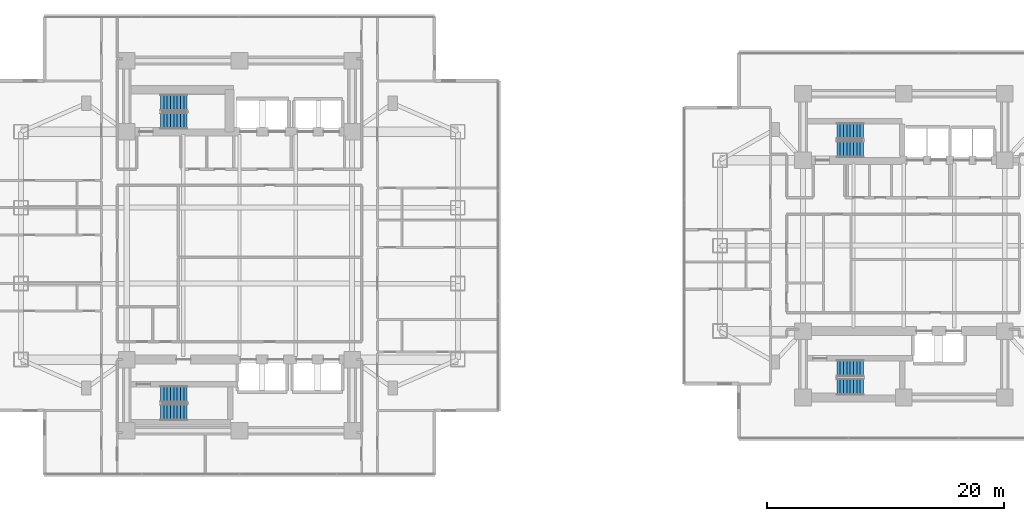
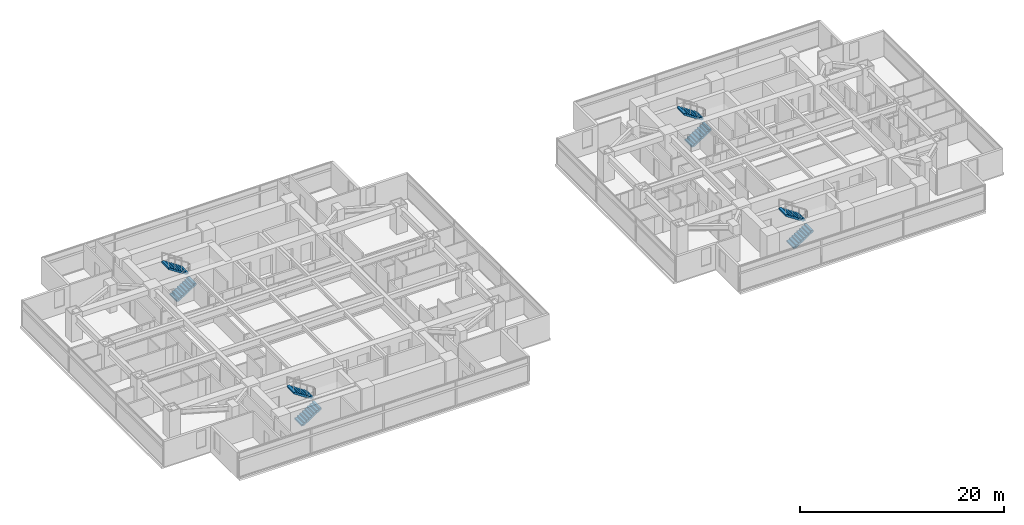
# One storey, part 20 of 25: 8 stair flights, 4 elements without a shape of their own.
"""IFC4 building model written with IfcOpenShell, lengths in metres."""

from ifc_helpers import new_model, si_unit, direction, frame, origin, place, context, subcontext, project, spatial, polyline, outline, extrude, material, type_object, element, aggregate, save


model = new_model("IFC4")

# Units and contexts
model_context = context("Model", 3, precision=1e-05, world=origin(), true_north=direction((0.0, 1.0)))
body_context = subcontext(model_context, "Body", "Model", "MODEL_VIEW")
ifc_project = project(units=[si_unit("LENGTHUNIT", "METRE"), si_unit("AREAUNIT", "SQUARE_METRE"), si_unit("VOLUMEUNIT", "CUBIC_METRE"), si_unit("PLANEANGLEUNIT", "RADIAN"), si_unit("MASSUNIT", "GRAM", prefix="KILO")], contexts=[model_context])

# Site, building, storey
site_placement = place(None, origin())
site = spatial("IfcSite", under=ifc_project, at=site_placement, CompositionType="ELEMENT")
building_placement = place(site_placement, origin())
building = spatial("IfcBuilding", under=site, at=building_placement, Name="Mirazonda Arch Towers", CompositionType="ELEMENT")
storey_placement = place(building_placement, frame((0.0, 0.0, 32.300048828125)))
storey = spatial("IfcBuildingStorey", under=building, at=storey_placement, Name="L08", CompositionType="ELEMENT", Elevation=32.300048828125)

# Stair, stair flights
ifc_material = material(Name="Concrete C40/50", Category="concrete")
stair_type = type_object("IfcStairType", Name="STAIR-CORE-1400", PredefinedType="HALF_TURN_STAIR", material=ifc_material)
stair_1_placement = place(storey_placement, origin())
stair_1 = element("IfcStair", 1, at=stair_1_placement, inside=storey, type_object=stair_type, Name="L08 Protected Exit Stair ST-T1N", PredefinedType="HALF_TURN_STAIR")
stair_flight_type = type_object("IfcStairFlightType", Name="FLIGHT-1400", PredefinedType="STRAIGHT", material=ifc_material)
stair_flight_1_placement = place(storey_placement, frame((13.85009765625, 38.52001953125, 0.0), z_axis=(0.0, 0.0, 1.0), x_axis=(1.0, 0.0, 0.0)))
stair_flight_1 = element("IfcStairFlight", 2, at=stair_flight_1_placement, type_object=stair_flight_type, Name="ST-T1N flight 1", NumberOfRisers=9, NumberOfTreads=8, PredefinedType="STRAIGHT", RiserHeight=0.183333333, TreadLength=0.28, context=body_context, shape_type="SweptSolid", body=[
    extrude(outline(polyline([(0.0, 0.0), (0.0, 0.183349609375), (0.280029296875, 0.183349609375), (0.280029296875, 0.36669921875), (0.56005859375, 0.36669921875), (0.56005859375, 0.550048828125), (0.840087890625, 0.550048828125), (0.840087890625, 0.7333984375), (1.1201171875, 0.7333984375), (1.1201171875, 0.916748046875), (1.39990234375, 0.916748046875), (1.39990234375, 1.10009765625), (1.679931640625, 1.10009765625), (1.679931640625, 1.283447265625), (1.9599609375, 1.283447265625), (1.9599609375, 1.466552734375), (2.239990234375, 1.466552734375), (2.239990234375, 1.64990234375), (2.239990234375, 1.275634765625), (0.2919921875, 0.0), (0.0, 0.0)])), frame((0.0, 0.699951171875, 0.0), z_axis=(0.0, -1.0, 0.0), x_axis=(1.0, 0.0, 0.0)), (0.0, 0.0, 1.0), 1.39990234375),
])
stair_flight_2_placement = place(storey_placement, frame((16.090087890625, 40.06005859375, 1.64990234375), z_axis=(0.0, 0.0, 1.0), x_axis=(-1.0, 0.0, 0.0)))
stair_flight_2 = element("IfcStairFlight", 3, at=stair_flight_2_placement, type_object=stair_flight_type, Name="ST-T1N flight 2", NumberOfRisers=9, NumberOfTreads=8, PredefinedType="STRAIGHT", RiserHeight=0.183333333, TreadLength=0.28, context=body_context, shape_type="SweptSolid", body=[
    extrude(outline(polyline([(0.0, 0.0), (0.0, 0.183349609375), (0.280029296875, 0.183349609375), (0.280029296875, 0.36669921875), (0.56005859375, 0.36669921875), (0.56005859375, 0.550048828125), (0.840087890625, 0.550048828125), (0.840087890625, 0.7333984375), (1.1201171875, 0.7333984375), (1.1201171875, 0.916748046875), (1.39990234375, 0.916748046875), (1.39990234375, 1.10009765625), (1.679931640625, 1.10009765625), (1.679931640625, 1.283447265625), (1.9599609375, 1.283447265625), (1.9599609375, 1.466552734375), (2.239990234375, 1.466552734375), (2.239990234375, 1.64990234375), (2.239990234375, 1.275634765625), (0.2919921875, 0.0), (0.0, 0.0)])), frame((0.0, 0.699951171875, 0.0), z_axis=(0.0, -1.0, 0.0), x_axis=(1.0, 0.0, 0.0)), (0.0, 0.0, 1.0), 1.39990234375),
])
aggregate(stair_1, [stair_flight_1, stair_flight_2])

stair_2_placement = place(storey_placement, origin())
stair_2 = element("IfcStair", 4, at=stair_2_placement, inside=storey, type_object=stair_type, Name="L08 Protected Exit Stair ST-T1S", PredefinedType="HALF_TURN_STAIR")
stair_flight_3_placement = place(storey_placement, frame((13.85009765625, 13.949951171875, 0.0), z_axis=(0.0, 0.0, 1.0), x_axis=(1.0, 0.0, 0.0)))
stair_flight_3 = element("IfcStairFlight", 5, at=stair_flight_3_placement, type_object=stair_flight_type, Name="ST-T1S flight 1", NumberOfRisers=9, NumberOfTreads=8, PredefinedType="STRAIGHT", RiserHeight=0.183333333, TreadLength=0.28, context=body_context, shape_type="SweptSolid", body=[
    extrude(outline(polyline([(0.0, 0.0), (0.0, 0.183349609375), (0.280029296875, 0.183349609375), (0.280029296875, 0.36669921875), (0.56005859375, 0.36669921875), (0.56005859375, 0.550048828125), (0.840087890625, 0.550048828125), (0.840087890625, 0.7333984375), (1.1201171875, 0.7333984375), (1.1201171875, 0.916748046875), (1.39990234375, 0.916748046875), (1.39990234375, 1.10009765625), (1.679931640625, 1.10009765625), (1.679931640625, 1.283447265625), (1.9599609375, 1.283447265625), (1.9599609375, 1.466552734375), (2.239990234375, 1.466552734375), (2.239990234375, 1.64990234375), (2.239990234375, 1.275634765625), (0.2919921875, 0.0), (0.0, 0.0)])), frame((0.0, 0.699951171875, 0.0), z_axis=(0.0, -1.0, 0.0), x_axis=(1.0, 0.0, 0.0)), (0.0, 0.0, 1.0), 1.39990234375),
])
stair_flight_4_placement = place(storey_placement, frame((16.090087890625, 15.489990234375, 1.64990234375), z_axis=(0.0, 0.0, 1.0), x_axis=(-1.0, 0.0, 0.0)))
stair_flight_4 = element("IfcStairFlight", 6, at=stair_flight_4_placement, type_object=stair_flight_type, Name="ST-T1S flight 2", NumberOfRisers=9, NumberOfTreads=8, PredefinedType="STRAIGHT", RiserHeight=0.183333333, TreadLength=0.28, context=body_context, shape_type="SweptSolid", body=[
    extrude(outline(polyline([(0.0, 0.0), (0.0, 0.183349609375), (0.280029296875, 0.183349609375), (0.280029296875, 0.36669921875), (0.56005859375, 0.36669921875), (0.56005859375, 0.550048828125), (0.840087890625, 0.550048828125), (0.840087890625, 0.7333984375), (1.1201171875, 0.7333984375), (1.1201171875, 0.916748046875), (1.39990234375, 0.916748046875), (1.39990234375, 1.10009765625), (1.679931640625, 1.10009765625), (1.679931640625, 1.283447265625), (1.9599609375, 1.283447265625), (1.9599609375, 1.466552734375), (2.239990234375, 1.466552734375), (2.239990234375, 1.64990234375), (2.239990234375, 1.275634765625), (0.2919921875, 0.0), (0.0, 0.0)])), frame((0.0, 0.699951171875, 0.0), z_axis=(0.0, -1.0, 0.0), x_axis=(1.0, 0.0, 0.0)), (0.0, 0.0, 1.0), 1.39990234375),
])
aggregate(stair_2, [stair_flight_3, stair_flight_4])

stair_3_placement = place(storey_placement, origin())
stair_3 = element("IfcStair", 7, at=stair_3_placement, inside=storey, type_object=stair_type, Name="L08 Protected Exit Stair ST-T2N", PredefinedType="HALF_TURN_STAIR")
stair_flight_5_placement = place(storey_placement, frame((70.85009765625, 36.1201171875, 0.0), z_axis=(0.0, 0.0, 1.0), x_axis=(1.0, 0.0, 0.0)))
stair_flight_5 = element("IfcStairFlight", 8, at=stair_flight_5_placement, type_object=stair_flight_type, Name="ST-T2N flight 1", NumberOfRisers=9, NumberOfTreads=8, PredefinedType="STRAIGHT", RiserHeight=0.183333333, TreadLength=0.28, context=body_context, shape_type="SweptSolid", body=[
    extrude(outline(polyline([(0.0, 0.0), (0.0, 0.183349609375), (0.280029296875, 0.183349609375), (0.280029296875, 0.36669921875), (0.56005859375, 0.36669921875), (0.56005859375, 0.550048828125), (0.840087890625, 0.550048828125), (0.840087890625, 0.7333984375), (1.1201171875, 0.7333984375), (1.1201171875, 0.916748046875), (1.39990234375, 0.916748046875), (1.39990234375, 1.10009765625), (1.679931640625, 1.10009765625), (1.679931640625, 1.283447265625), (1.9599609375, 1.283447265625), (1.9599609375, 1.466552734375), (2.239990234375, 1.466552734375), (2.239990234375, 1.64990234375), (2.239990234375, 1.275634765625), (0.2919921875, 0.0), (0.0, 0.0)])), frame((0.0, 0.699951171875, 0.0), z_axis=(0.0, -1.0, 0.0), x_axis=(1.0, 0.0, 0.0)), (0.0, 0.0, 1.0), 1.39990234375),
])
stair_flight_6_placement = place(storey_placement, frame((73.090087890625, 37.659912109375, 1.64990234375), z_axis=(0.0, 0.0, 1.0), x_axis=(-1.0, 0.0, 0.0)))
stair_flight_6 = element("IfcStairFlight", 9, at=stair_flight_6_placement, type_object=stair_flight_type, Name="ST-T2N flight 2", NumberOfRisers=9, NumberOfTreads=8, PredefinedType="STRAIGHT", RiserHeight=0.183333333, TreadLength=0.28, context=body_context, shape_type="SweptSolid", body=[
    extrude(outline(polyline([(0.0, 0.0), (0.0, 0.183349609375), (0.280029296875, 0.183349609375), (0.280029296875, 0.36669921875), (0.56005859375, 0.36669921875), (0.56005859375, 0.550048828125), (0.840087890625, 0.550048828125), (0.840087890625, 0.7333984375), (1.1201171875, 0.7333984375), (1.1201171875, 0.916748046875), (1.39990234375, 0.916748046875), (1.39990234375, 1.10009765625), (1.679931640625, 1.10009765625), (1.679931640625, 1.283447265625), (1.9599609375, 1.283447265625), (1.9599609375, 1.466552734375), (2.239990234375, 1.466552734375), (2.239990234375, 1.64990234375), (2.239990234375, 1.275634765625), (0.2919921875, 0.0), (0.0, 0.0)])), frame((0.0, 0.699951171875, 0.0), z_axis=(0.0, -1.0, 0.0), x_axis=(1.0, 0.0, 0.0)), (0.0, 0.0, 1.0), 1.39990234375),
])
aggregate(stair_3, [stair_flight_5, stair_flight_6])

stair_4_placement = place(storey_placement, origin())
stair_4 = element("IfcStair", 10, at=stair_4_placement, inside=storey, type_object=stair_type, Name="L08 Protected Exit Stair ST-T2S", PredefinedType="HALF_TURN_STAIR")
stair_flight_7_placement = place(storey_placement, frame((70.85009765625, 16.1201171875, 0.0), z_axis=(0.0, 0.0, 1.0), x_axis=(1.0, 0.0, 0.0)))
stair_flight_7 = element("IfcStairFlight", 11, at=stair_flight_7_placement, type_object=stair_flight_type, Name="ST-T2S flight 1", NumberOfRisers=9, NumberOfTreads=8, PredefinedType="STRAIGHT", RiserHeight=0.183333333, TreadLength=0.28, context=body_context, shape_type="SweptSolid", body=[
    extrude(outline(polyline([(0.0, 0.0), (0.0, 0.183349609375), (0.280029296875, 0.183349609375), (0.280029296875, 0.36669921875), (0.56005859375, 0.36669921875), (0.56005859375, 0.550048828125), (0.840087890625, 0.550048828125), (0.840087890625, 0.7333984375), (1.1201171875, 0.7333984375), (1.1201171875, 0.916748046875), (1.39990234375, 0.916748046875), (1.39990234375, 1.10009765625), (1.679931640625, 1.10009765625), (1.679931640625, 1.283447265625), (1.9599609375, 1.283447265625), (1.9599609375, 1.466552734375), (2.239990234375, 1.466552734375), (2.239990234375, 1.64990234375), (2.239990234375, 1.275634765625), (0.2919921875, 0.0), (0.0, 0.0)])), frame((0.0, 0.699951171875, 0.0), z_axis=(0.0, -1.0, 0.0), x_axis=(1.0, 0.0, 0.0)), (0.0, 0.0, 1.0), 1.39990234375),
])
stair_flight_8_placement = place(storey_placement, frame((73.090087890625, 17.659912109375, 1.64990234375), z_axis=(0.0, 0.0, 1.0), x_axis=(-1.0, 0.0, 0.0)))
stair_flight_8 = element("IfcStairFlight", 12, at=stair_flight_8_placement, type_object=stair_flight_type, Name="ST-T2S flight 2", NumberOfRisers=9, NumberOfTreads=8, PredefinedType="STRAIGHT", RiserHeight=0.183333333, TreadLength=0.28, context=body_context, shape_type="SweptSolid", body=[
    extrude(outline(polyline([(0.0, 0.0), (0.0, 0.183349609375), (0.280029296875, 0.183349609375), (0.280029296875, 0.36669921875), (0.56005859375, 0.36669921875), (0.56005859375, 0.550048828125), (0.840087890625, 0.550048828125), (0.840087890625, 0.7333984375), (1.1201171875, 0.7333984375), (1.1201171875, 0.916748046875), (1.39990234375, 0.916748046875), (1.39990234375, 1.10009765625), (1.679931640625, 1.10009765625), (1.679931640625, 1.283447265625), (1.9599609375, 1.283447265625), (1.9599609375, 1.466552734375), (2.239990234375, 1.466552734375), (2.239990234375, 1.64990234375), (2.239990234375, 1.275634765625), (0.2919921875, 0.0), (0.0, 0.0)])), frame((0.0, 0.699951171875, 0.0), z_axis=(0.0, -1.0, 0.0), x_axis=(1.0, 0.0, 0.0)), (0.0, 0.0, 1.0), 1.39990234375),
])
aggregate(stair_4, [stair_flight_7, stair_flight_8])

save(model, "model.ifc")
